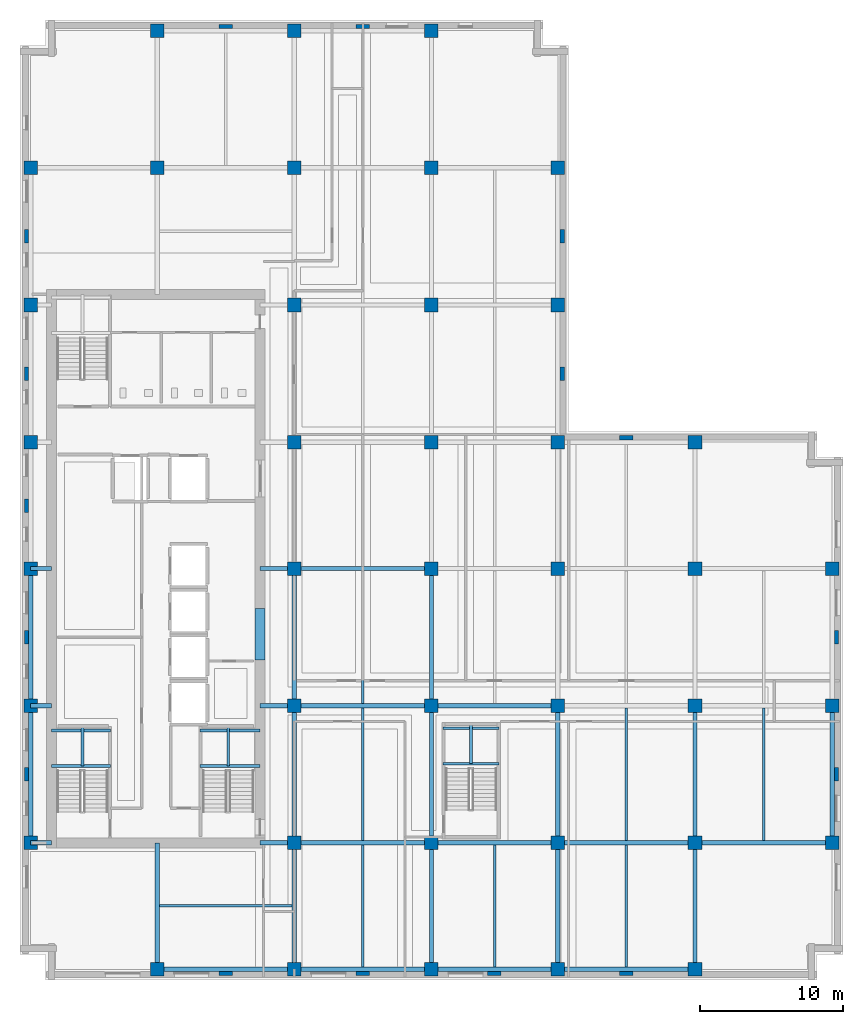
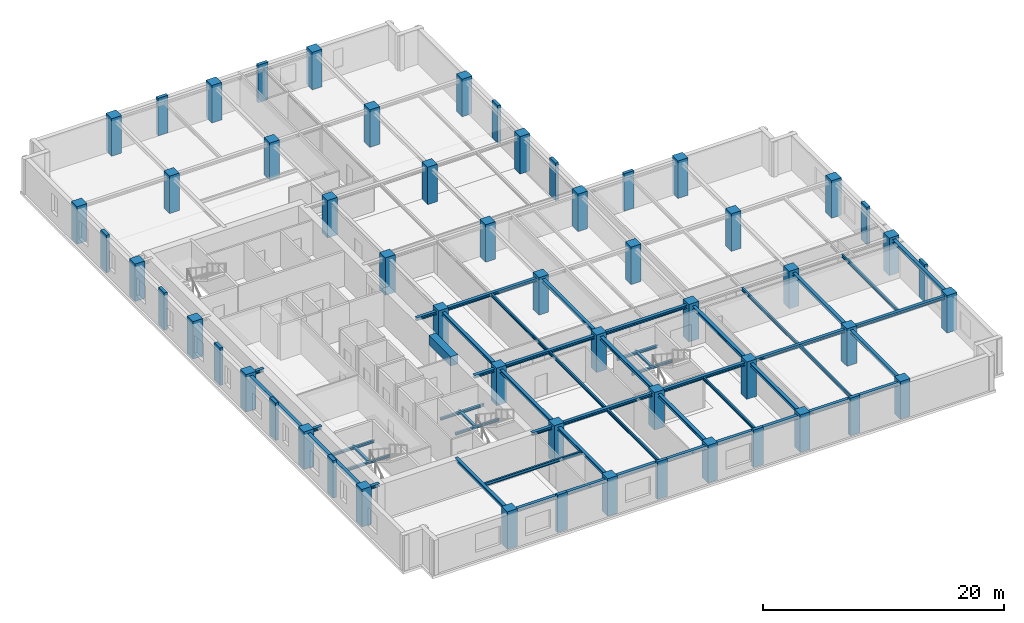
# One storey, part 1 of 13: 56 columns, 49 beams.
"""IFC4 building model written with IfcOpenShell, lengths in metres."""

from ifc_helpers import new_model, si_unit, direction, frame, origin, origin_2d, place, context, subcontext, project, spatial, rectangle, i_section, extrude, material, material_profile, profile_set, type_object, element, save


model = new_model("IFC4")

# Units and contexts
model_context = context("Model", 3, precision=1e-05, world=origin(), true_north=direction((0.0, 1.0)))
body_context = subcontext(model_context, "Body", "Model", "MODEL_VIEW")
ifc_project = project(units=[si_unit("LENGTHUNIT", "METRE"), si_unit("AREAUNIT", "SQUARE_METRE"), si_unit("VOLUMEUNIT", "CUBIC_METRE"), si_unit("PLANEANGLEUNIT", "RADIAN"), si_unit("MASSUNIT", "GRAM", prefix="KILO")], contexts=[model_context])

# Site, building, storey
site_placement = place(None, origin())
site = spatial("IfcSite", under=ifc_project, at=site_placement, CompositionType="ELEMENT")
building_placement = place(site_placement, origin())
building = spatial("IfcBuilding", under=site, at=building_placement, Name="Norrvale University Quadrangle", CompositionType="ELEMENT")
storey_placement = place(building_placement, frame((0.0, 0.0, 178.800048828125)))
storey = spatial("IfcBuildingStorey", under=building, at=storey_placement, Name="L45", CompositionType="ELEMENT", Elevation=178.800048828125)

# Columns
ifc_material_1 = material(Name="Red Manganese Brick Concrete C60/75", Category="concrete")
ifc_material_profile_1 = material_profile(ifc_material_1, rectangle(XDim=0.949951171875, YDim=0.300048828125, at=origin_2d()), Name="Red Manganese Brick Concrete C60/75")
ifc_profile_set_1 = profile_set([ifc_material_profile_1], Name="Red Manganese Brick Concrete C60/75")
column_type_1 = type_object("IfcColumnType", Name="Column Brick Pier 950x300", PredefinedType="PILASTER", material=ifc_profile_set_1)
for number, where, z_axis, x_axis, name in (
    (1, (0.449951171875, 14.39990234375, 0.0), (0.0, 0.0, 1.0), (0.0, 1.0, 0.0), "Exterior Brick Facade Pilaster L45-01"),
    (2, (0.449951171875, 24.0, 0.0), (0.0, 0.0, 1.0), (0.0, 1.0, 0.0), "Exterior Brick Facade Pilaster L45-02"),
    (3, (0.449951171875, 33.199951171875, 0.0), (0.0, 0.0, 1.0), (0.0, 1.0, 0.0), "Exterior Brick Facade Pilaster L45-03"),
    (4, (0.449951171875, 42.449951171875, 0.0), (0.0, 0.0, 1.0), (0.0, 1.0, 0.0), "Exterior Brick Facade Pilaster L45-04"),
    (5, (0.449951171875, 52.050048828125, 0.0), (0.0, 0.0, 1.0), (0.0, 1.0, 0.0), "Exterior Brick Facade Pilaster L45-05"),
    (6, (14.39990234375, 0.449951171875, 0.0), (0.0, 0.0, 1.0), (1.0, 0.0, 0.0), "Exterior Brick Facade Pilaster L45-06"),
    (7, (24.0, 0.449951171875, 0.0), (0.0, 0.0, 1.0), (1.0, 0.0, 0.0), "Exterior Brick Facade Pilaster L45-07"),
    (8, (33.199951171875, 0.449951171875, 0.0), (0.0, 0.0, 1.0), (1.0, 0.0, 0.0), "Exterior Brick Facade Pilaster L45-08"),
    (9, (42.449951171875, 0.449951171875, 0.0), (0.0, 0.0, 1.0), (1.0, 0.0, 0.0), "Exterior Brick Facade Pilaster L45-09"),
    (10, (57.14990234375, 14.39990234375, 0.0), (0.0, 0.0, 1.0), (0.0, 1.0, 0.0), "Exterior Brick Facade Pilaster L45-10"),
    (11, (57.14990234375, 24.0, 0.0), (0.0, 0.0, 1.0), (0.0, 1.0, 0.0), "Exterior Brick Facade Pilaster L45-11"),
    (12, (14.39990234375, 66.75, 0.0), (0.0, 0.0, 1.0), (1.0, 0.0, 0.0), "Exterior Brick Facade Pilaster L45-12"),
    (13, (24.0, 66.75, 0.0), (0.0, 0.0, 1.0), (1.0, 0.0, 0.0), "Exterior Brick Facade Pilaster L45-13"),
    (14, (37.949951171875, 42.449951171875, 0.0), (0.0, 0.0, 1.0), (0.0, 1.0, 0.0), "Exterior Brick Facade Pilaster L45-14"),
    (15, (37.949951171875, 52.050048828125, 0.0), (0.0, 0.0, 1.0), (0.0, 1.0, 0.0), "Exterior Brick Facade Pilaster L45-15"),
    (16, (42.449951171875, 37.949951171875, 0.0), (0.0, 0.0, 1.0), (1.0, 0.0, 0.0), "Exterior Brick Facade Pilaster L45-16"),
):
    element("IfcColumn", number, at=place(storey_placement, frame(where, z_axis=z_axis, x_axis=x_axis)), inside=storey, type_object=column_type_1, Name=name, PredefinedType="PILASTER", context=body_context, shape_type="SweptSolid", body=[
        extrude(rectangle(XDim=0.949951171875, YDim=0.300048828125, at=origin_2d()), origin(), (0.0, 0.0, 1.0), 3.800048828125),
    ])
ifc_material_2 = material(Name="Concrete C60/75", Category="concrete")
ifc_material_profile_2 = material_profile(ifc_material_2, rectangle(XDim=0.949951171875, YDim=0.949951171875, at=origin_2d()), Name="Concrete C60/75")
ifc_profile_set_2 = profile_set([ifc_material_profile_2], Name="Concrete C60/75")
column_type_2 = type_object("IfcColumnType", Name="Column Tower Z2 950x950", PredefinedType="COLUMN", material=ifc_profile_set_2)
for number, where, z_axis, x_axis, name in (
    (17, (0.75, 9.60009765625, 0.0), (0.0, 0.0, 1.0), (1.0, 0.0, 0.0), "Tower Column L45-T01"),
    (18, (0.75, 19.199951171875, 0.0), (0.0, 0.0, 1.0), (1.0, 0.0, 0.0), "Tower Column L45-T02"),
    (19, (0.75, 28.800048828125, 0.0), (0.0, 0.0, 1.0), (1.0, 0.0, 0.0), "Tower Column L45-T03"),
    (20, (0.75, 37.64990234375, 0.0), (0.0, 0.0, 1.0), (1.0, 0.0, 0.0), "Tower Column L45-T04"),
    (21, (0.75, 47.25, 0.0), (0.0, 0.0, 1.0), (1.0, 0.0, 0.0), "Tower Column L45-T05"),
    (22, (0.75, 56.85009765625, 0.0), (0.0, 0.0, 1.0), (1.0, 0.0, 0.0), "Tower Column L45-T06"),
    (23, (9.60009765625, 0.75, 0.0), (0.0, 0.0, 1.0), (1.0, 0.0, 0.0), "Tower Column L45-T07"),
    (24, (9.60009765625, 56.85009765625, 0.0), (0.0, 0.0, 1.0), (1.0, 0.0, 0.0), "Tower Column L45-T08"),
    (25, (9.60009765625, 66.449951171875, 0.0), (0.0, 0.0, 1.0), (1.0, 0.0, 0.0), "Tower Column L45-T09"),
    (26, (19.199951171875, 0.75, 0.0), (0.0, 0.0, 1.0), (1.0, 0.0, 0.0), "Tower Column L45-T10"),
    (27, (19.199951171875, 9.60009765625, 0.0), (0.0, 0.0, 1.0), (1.0, 0.0, 0.0), "Tower Column L45-T11"),
    (28, (19.199951171875, 19.199951171875, 0.0), (0.0, 0.0, 1.0), (1.0, 0.0, 0.0), "Tower Column L45-T12"),
    (29, (19.199951171875, 28.800048828125, 0.0), (0.0, 0.0, 1.0), (1.0, 0.0, 0.0), "Tower Column L45-T13"),
    (30, (19.199951171875, 37.64990234375, 0.0), (0.0, 0.0, 1.0), (1.0, 0.0, 0.0), "Tower Column L45-T14"),
    (31, (19.199951171875, 47.25, 0.0), (0.0, 0.0, 1.0), (1.0, 0.0, 0.0), "Tower Column L45-T15"),
    (32, (19.199951171875, 56.85009765625, 0.0), (0.0, 0.0, 1.0), (1.0, 0.0, 0.0), "Tower Column L45-T16"),
    (33, (19.199951171875, 66.449951171875, 0.0), (0.0, 0.0, 1.0), (1.0, 0.0, 0.0), "Tower Column L45-T17"),
    (34, (28.800048828125, 0.75, 0.0), (0.0, 0.0, 1.0), (1.0, 0.0, 0.0), "Tower Column L45-T18"),
    (35, (28.800048828125, 9.60009765625, 0.0), (0.0, 0.0, 1.0), (1.0, 0.0, 0.0), "Tower Column L45-T19"),
    (36, (28.800048828125, 19.199951171875, 0.0), (0.0, 0.0, 1.0), (1.0, 0.0, 0.0), "Tower Column L45-T20"),
    (37, (28.800048828125, 28.800048828125, 0.0), (0.0, 0.0, 1.0), (1.0, 0.0, 0.0), "Tower Column L45-T21"),
    (38, (28.800048828125, 37.64990234375, 0.0), (0.0, 0.0, 1.0), (1.0, 0.0, 0.0), "Tower Column L45-T22"),
    (39, (28.800048828125, 47.25, 0.0), (0.0, 0.0, 1.0), (1.0, 0.0, 0.0), "Tower Column L45-T23"),
    (40, (28.800048828125, 56.85009765625, 0.0), (0.0, 0.0, 1.0), (1.0, 0.0, 0.0), "Tower Column L45-T24"),
    (41, (28.800048828125, 66.449951171875, 0.0), (0.0, 0.0, 1.0), (1.0, 0.0, 0.0), "Tower Column L45-T25"),
    (42, (37.64990234375, 0.75, 0.0), (0.0, 0.0, 1.0), (1.0, 0.0, 0.0), "Tower Column L45-T26"),
    (43, (37.64990234375, 9.60009765625, 0.0), (0.0, 0.0, 1.0), (1.0, 0.0, 0.0), "Tower Column L45-T27"),
    (44, (37.64990234375, 19.199951171875, 0.0), (0.0, 0.0, 1.0), (1.0, 0.0, 0.0), "Tower Column L45-T28"),
    (45, (37.64990234375, 28.800048828125, 0.0), (0.0, 0.0, 1.0), (1.0, 0.0, 0.0), "Tower Column L45-T29"),
    (46, (37.64990234375, 37.64990234375, 0.0), (0.0, 0.0, 1.0), (1.0, 0.0, 0.0), "Tower Column L45-T30"),
    (47, (37.64990234375, 47.25, 0.0), (0.0, 0.0, 1.0), (1.0, 0.0, 0.0), "Tower Column L45-T31"),
    (48, (37.64990234375, 56.85009765625, 0.0), (0.0, 0.0, 1.0), (1.0, 0.0, 0.0), "Tower Column L45-T32"),
    (49, (47.25, 0.75, 0.0), (0.0, 0.0, 1.0), (1.0, 0.0, 0.0), "Tower Column L45-T33"),
    (50, (47.25, 9.60009765625, 0.0), (0.0, 0.0, 1.0), (1.0, 0.0, 0.0), "Tower Column L45-T34"),
    (51, (47.25, 19.199951171875, 0.0), (0.0, 0.0, 1.0), (1.0, 0.0, 0.0), "Tower Column L45-T35"),
    (52, (47.25, 28.800048828125, 0.0), (0.0, 0.0, 1.0), (1.0, 0.0, 0.0), "Tower Column L45-T36"),
    (53, (47.25, 37.64990234375, 0.0), (0.0, 0.0, 1.0), (1.0, 0.0, 0.0), "Tower Column L45-T37"),
    (54, (56.85009765625, 9.60009765625, 0.0), (0.0, 0.0, 1.0), (1.0, 0.0, 0.0), "Tower Column L45-T38"),
    (55, (56.85009765625, 19.199951171875, 0.0), (0.0, 0.0, 1.0), (1.0, 0.0, 0.0), "Tower Column L45-T39"),
    (56, (56.85009765625, 28.800048828125, 0.0), (0.0, 0.0, 1.0), (1.0, 0.0, 0.0), "Tower Column L45-T40"),
):
    element("IfcColumn", number, at=place(storey_placement, frame(where, z_axis=z_axis, x_axis=x_axis)), inside=storey, type_object=column_type_2, Name=name, PredefinedType="COLUMN", context=body_context, shape_type="SweptSolid", body=[
        extrude(rectangle(XDim=0.949951171875, YDim=0.949951171875, at=origin_2d()), origin(), (0.0, 0.0, 1.0), 3.800048828125),
    ])

# Beams
ifc_material_3 = material(Name="Steel 350W", Category="steel")
ifc_material_profile_3 = material_profile(ifc_material_3, i_section(OverallWidth=0.1669921875, OverallDepth=0.31689453125, WebThickness=0.007568359375, FlangeThickness=0.01318359375, FilletRadius=0.010009765625, at=origin_2d()), Name="Steel 350W")
ifc_profile_set_3 = profile_set([ifc_material_profile_3], Name="Steel 350W")
beam_type_1 = type_object("IfcBeamType", Name="Beam Canopy Purlin W310x52", PredefinedType="USERDEFINED", material=ifc_profile_set_3)
beam_1_placement = place(storey_placement, frame((24.0, 0.902587890625, 3.38134765625), z_axis=(0.0, 1.0, 0.0), x_axis=(-1.0, 0.0, 0.0)))
element("IfcBeam", 57, at=beam_1_placement, inside=storey, type_object=beam_type_1, Name="Beam Canopy Purlin W310x52 BM-L45-J071", ObjectType="PURLIN", PredefinedType="USERDEFINED", context=body_context, shape_type="SweptSolid", body=[
    extrude(i_section(OverallWidth=0.1669921875, OverallDepth=0.31689453125, WebThickness=0.007568359375, FlangeThickness=0.01318359375, FilletRadius=0.010009765625, at=origin_2d()), origin(), (0.0, 0.0, 1.0), 8.544921875),
])
beam_2_placement = place(storey_placement, frame((24.0, 9.75244140625, 3.38134765625), z_axis=(0.0, 1.0, 0.0), x_axis=(-1.0, 0.0, 0.0)))
element("IfcBeam", 58, at=beam_2_placement, inside=storey, type_object=beam_type_1, Name="Beam Canopy Purlin W310x52 BM-L45-J072", ObjectType="PURLIN", PredefinedType="USERDEFINED", context=body_context, shape_type="SweptSolid", body=[
    extrude(i_section(OverallWidth=0.1669921875, OverallDepth=0.31689453125, WebThickness=0.007568359375, FlangeThickness=0.01318359375, FilletRadius=0.010009765625, at=origin_2d()), origin(), (0.0, 0.0, 1.0), 9.295166015625),
])
beam_3_placement = place(storey_placement, frame((24.0, 19.3525390625, 3.38134765625), z_axis=(0.0, 1.0, 0.0), x_axis=(-1.0, 0.0, 0.0)))
element("IfcBeam", 59, at=beam_3_placement, inside=storey, type_object=beam_type_1, Name="Beam Canopy Purlin W310x52 BM-L45-J073", ObjectType="PURLIN", PredefinedType="USERDEFINED", context=body_context, shape_type="SweptSolid", body=[
    extrude(i_section(OverallWidth=0.1669921875, OverallDepth=0.31689453125, WebThickness=0.007568359375, FlangeThickness=0.01318359375, FilletRadius=0.010009765625, at=origin_2d()), origin(), (0.0, 0.0, 1.0), 9.294921875),
])
for number, where, z_axis, x_axis, name in (
    (60, (33.22509765625, 0.902587890625, 3.38134765625), (0.0, 1.0, 0.0), (-1.0, 0.0, 0.0), "Beam Canopy Purlin W310x52 BM-L45-J078"),
    (61, (42.449951171875, 0.902587890625, 3.38134765625), (0.0, 1.0, 0.0), (-1.0, 0.0, 0.0), "Beam Canopy Purlin W310x52 BM-L45-J083"),
):
    element("IfcBeam", number, at=place(storey_placement, frame(where, z_axis=z_axis, x_axis=x_axis)), inside=storey, type_object=beam_type_1, Name=name, ObjectType="PURLIN", PredefinedType="USERDEFINED", context=body_context, shape_type="SweptSolid", body=[
        extrude(i_section(OverallWidth=0.1669921875, OverallDepth=0.31689453125, WebThickness=0.007568359375, FlangeThickness=0.01318359375, FilletRadius=0.010009765625, at=origin_2d()), origin(), (0.0, 0.0, 1.0), 8.544921875),
    ])
for number, where, z_axis, x_axis, name in (
    (62, (42.449951171875, 9.75244140625, 3.38134765625), (0.0, 1.0, 0.0), (-1.0, 0.0, 0.0), "Beam Canopy Purlin W310x52 BM-L45-J084"),
    (63, (52.050048828125, 9.75244140625, 3.38134765625), (0.0, 1.0, 0.0), (-1.0, 0.0, 0.0), "Beam Canopy Purlin W310x52 BM-L45-J087"),
    (64, (9.75244140625, 5.199951171875, 3.38134765625), (1.0, 0.0, 0.0), (0.0, 1.0, 0.0), "Beam Canopy Purlin W310x52 BM-L45-JCS090"),
):
    element("IfcBeam", number, at=place(storey_placement, frame(where, z_axis=z_axis, x_axis=x_axis)), inside=storey, type_object=beam_type_1, Name=name, ObjectType="PURLIN", PredefinedType="USERDEFINED", context=body_context, shape_type="SweptSolid", body=[
        extrude(i_section(OverallWidth=0.1669921875, OverallDepth=0.31689453125, WebThickness=0.007568359375, FlangeThickness=0.01318359375, FilletRadius=0.010009765625, at=origin_2d()), origin(), (0.0, 0.0, 1.0), 9.295166015625),
    ])
ifc_material_profile_4 = material_profile(ifc_material_3, i_section(OverallWidth=0.304931640625, OverallDepth=0.30810546875, WebThickness=0.010009765625, FlangeThickness=0.015380859375, FilletRadius=0.014892578125, at=origin_2d()), Name="Steel 350W")
ifc_profile_set_4 = profile_set([ifc_material_profile_4], Name="Steel 350W")
beam_type_2 = type_object("IfcBeamType", Name="Beam Canopy W310x97", PredefinedType="BEAM", material=ifc_profile_set_4)
beam_4_placement = place(storey_placement, frame((9.60009765625, 0.75, 3.385986328125), z_axis=(1.0, 0.0, 0.0), x_axis=(0.0, 1.0, 0.0)))
element("IfcBeam", 65, at=beam_4_placement, inside=storey, type_object=beam_type_2, Name="Beam Canopy W310x97 BM-L45-GX001", PredefinedType="BEAM", context=body_context, shape_type="SweptSolid", body=[
    extrude(i_section(OverallWidth=0.304931640625, OverallDepth=0.30810546875, WebThickness=0.010009765625, FlangeThickness=0.015380859375, FilletRadius=0.014892578125, at=origin_2d()), origin(), (0.0, 0.0, 1.0), 9.599853515625),
])
beam_5_placement = place(storey_placement, frame((19.199951171875, 0.75, 3.385986328125), z_axis=(1.0, 0.0, 0.0), x_axis=(0.0, 1.0, 0.0)))
element("IfcBeam", 66, at=beam_5_placement, inside=storey, type_object=beam_type_2, Name="Beam Canopy W310x97 BM-L45-GX002", PredefinedType="BEAM", context=body_context, shape_type="SweptSolid", body=[
    extrude(i_section(OverallWidth=0.304931640625, OverallDepth=0.30810546875, WebThickness=0.010009765625, FlangeThickness=0.015380859375, FilletRadius=0.014892578125, at=origin_2d()), origin(), (0.0, 0.0, 1.0), 9.60009765625),
])
beam_6_placement = place(storey_placement, frame((28.800048828125, 0.75, 3.385986328125), z_axis=(1.0, 0.0, 0.0), x_axis=(0.0, 1.0, 0.0)))
element("IfcBeam", 67, at=beam_6_placement, inside=storey, type_object=beam_type_2, Name="Beam Canopy W310x97 BM-L45-GX003", PredefinedType="BEAM", context=body_context, shape_type="SweptSolid", body=[
    extrude(i_section(OverallWidth=0.304931640625, OverallDepth=0.30810546875, WebThickness=0.010009765625, FlangeThickness=0.015380859375, FilletRadius=0.014892578125, at=origin_2d()), origin(), (0.0, 0.0, 1.0), 8.849853515625),
])
for number, where, z_axis, x_axis, name in (
    (68, (37.64990234375, 0.75, 3.385986328125), (1.0, 0.0, 0.0), (0.0, 1.0, 0.0), "Beam Canopy W310x97 BM-L45-GX004"),
    (69, (19.199951171875, 9.60009765625, 3.385986328125), (1.0, 0.0, 0.0), (0.0, 1.0, 0.0), "Beam Canopy W310x97 BM-L45-GX005"),
):
    element("IfcBeam", number, at=place(storey_placement, frame(where, z_axis=z_axis, x_axis=x_axis)), inside=storey, type_object=beam_type_2, Name=name, PredefinedType="BEAM", context=body_context, shape_type="SweptSolid", body=[
        extrude(i_section(OverallWidth=0.304931640625, OverallDepth=0.30810546875, WebThickness=0.010009765625, FlangeThickness=0.015380859375, FilletRadius=0.014892578125, at=origin_2d()), origin(), (0.0, 0.0, 1.0), 9.60009765625),
    ])
beam_7_placement = place(storey_placement, frame((28.800048828125, 9.60009765625, 3.385986328125), z_axis=(1.0, 0.0, 0.0), x_axis=(0.0, 1.0, 0.0)))
element("IfcBeam", 70, at=beam_7_placement, inside=storey, type_object=beam_type_2, Name="Beam Canopy W310x97 BM-L45-GX006", PredefinedType="BEAM", context=body_context, shape_type="SweptSolid", body=[
    extrude(i_section(OverallWidth=0.304931640625, OverallDepth=0.30810546875, WebThickness=0.010009765625, FlangeThickness=0.015380859375, FilletRadius=0.014892578125, at=origin_2d()), origin(), (0.0, 0.0, 1.0), 8.849853515625),
])
for number, where, z_axis, x_axis, name in (
    (71, (37.64990234375, 9.60009765625, 3.385986328125), (1.0, 0.0, 0.0), (0.0, 1.0, 0.0), "Beam Canopy W310x97 BM-L45-GX007"),
    (72, (47.25, 9.60009765625, 3.385986328125), (1.0, 0.0, 0.0), (0.0, 1.0, 0.0), "Beam Canopy W310x97 BM-L45-GX008"),
    (73, (19.199951171875, 19.199951171875, 3.385986328125), (1.0, 0.0, 0.0), (0.0, 1.0, 0.0), "Beam Canopy W310x97 BM-L45-GX009"),
):
    element("IfcBeam", number, at=place(storey_placement, frame(where, z_axis=z_axis, x_axis=x_axis)), inside=storey, type_object=beam_type_2, Name=name, PredefinedType="BEAM", context=body_context, shape_type="SweptSolid", body=[
        extrude(i_section(OverallWidth=0.304931640625, OverallDepth=0.30810546875, WebThickness=0.010009765625, FlangeThickness=0.015380859375, FilletRadius=0.014892578125, at=origin_2d()), origin(), (0.0, 0.0, 1.0), 9.60009765625),
    ])
beam_8_placement = place(storey_placement, frame((28.800048828125, 19.199951171875, 3.385986328125), z_axis=(1.0, 0.0, 0.0), x_axis=(0.0, 1.0, 0.0)))
element("IfcBeam", 74, at=beam_8_placement, inside=storey, type_object=beam_type_2, Name="Beam Canopy W310x97 BM-L45-GX010", PredefinedType="BEAM", context=body_context, shape_type="SweptSolid", body=[
    extrude(i_section(OverallWidth=0.304931640625, OverallDepth=0.30810546875, WebThickness=0.010009765625, FlangeThickness=0.015380859375, FilletRadius=0.014892578125, at=origin_2d()), origin(), (0.0, 0.0, 1.0), 8.849853515625),
])
beam_9_placement = place(storey_placement, frame((19.199951171875, 28.800048828125, 3.385986328125), z_axis=(1.0, 0.0, 0.0), x_axis=(0.0, 1.0, 0.0)))
element("IfcBeam", 75, at=beam_9_placement, inside=storey, type_object=beam_type_2, Name="Beam Canopy W310x97 BM-L45-GX013", PredefinedType="BEAM", context=body_context, shape_type="SweptSolid", body=[
    extrude(i_section(OverallWidth=0.304931640625, OverallDepth=0.30810546875, WebThickness=0.010009765625, FlangeThickness=0.015380859375, FilletRadius=0.014892578125, at=origin_2d()), origin(), (0.0, 0.0, 1.0), 9.60009765625),
])
beam_10_placement = place(storey_placement, frame((0.75, 9.60009765625, 3.385986328125), z_axis=(0.0, 1.0, 0.0), x_axis=(-1.0, 0.0, 0.0)))
element("IfcBeam", 76, at=beam_10_placement, inside=storey, type_object=beam_type_2, Name="Beam Canopy W310x97 BM-L45-GY028", PredefinedType="BEAM", context=body_context, shape_type="SweptSolid", body=[
    extrude(i_section(OverallWidth=0.304931640625, OverallDepth=0.30810546875, WebThickness=0.010009765625, FlangeThickness=0.015380859375, FilletRadius=0.014892578125, at=origin_2d()), origin(), (0.0, 0.0, 1.0), 9.599853515625),
])
beam_11_placement = place(storey_placement, frame((0.75, 19.199951171875, 3.385986328125), z_axis=(0.0, 1.0, 0.0), x_axis=(-1.0, 0.0, 0.0)))
element("IfcBeam", 77, at=beam_11_placement, inside=storey, type_object=beam_type_2, Name="Beam Canopy W310x97 BM-L45-GY029", PredefinedType="BEAM", context=body_context, shape_type="SweptSolid", body=[
    extrude(i_section(OverallWidth=0.304931640625, OverallDepth=0.30810546875, WebThickness=0.010009765625, FlangeThickness=0.015380859375, FilletRadius=0.014892578125, at=origin_2d()), origin(), (0.0, 0.0, 1.0), 9.60009765625),
])
beam_12_placement = place(storey_placement, frame((19.199951171875, 0.75, 3.385986328125), z_axis=(0.0, 1.0, 0.0), x_axis=(-1.0, 0.0, 0.0)))
element("IfcBeam", 78, at=beam_12_placement, inside=storey, type_object=beam_type_2, Name="Beam Canopy W310x97 BM-L45-GY034", PredefinedType="BEAM", context=body_context, shape_type="SweptSolid", body=[
    extrude(i_section(OverallWidth=0.304931640625, OverallDepth=0.30810546875, WebThickness=0.010009765625, FlangeThickness=0.015380859375, FilletRadius=0.014892578125, at=origin_2d()), origin(), (0.0, 0.0, 1.0), 8.85009765625),
])
beam_13_placement = place(storey_placement, frame((19.199951171875, 9.60009765625, 3.385986328125), z_axis=(0.0, 1.0, 0.0), x_axis=(-1.0, 0.0, 0.0)))
element("IfcBeam", 79, at=beam_13_placement, inside=storey, type_object=beam_type_2, Name="Beam Canopy W310x97 BM-L45-GY035", PredefinedType="BEAM", context=body_context, shape_type="SweptSolid", body=[
    extrude(i_section(OverallWidth=0.304931640625, OverallDepth=0.30810546875, WebThickness=0.010009765625, FlangeThickness=0.015380859375, FilletRadius=0.014892578125, at=origin_2d()), origin(), (0.0, 0.0, 1.0), 9.599853515625),
])
beam_14_placement = place(storey_placement, frame((19.199951171875, 19.199951171875, 3.385986328125), z_axis=(0.0, 1.0, 0.0), x_axis=(-1.0, 0.0, 0.0)))
element("IfcBeam", 80, at=beam_14_placement, inside=storey, type_object=beam_type_2, Name="Beam Canopy W310x97 BM-L45-GY036", PredefinedType="BEAM", context=body_context, shape_type="SweptSolid", body=[
    extrude(i_section(OverallWidth=0.304931640625, OverallDepth=0.30810546875, WebThickness=0.010009765625, FlangeThickness=0.015380859375, FilletRadius=0.014892578125, at=origin_2d()), origin(), (0.0, 0.0, 1.0), 9.60009765625),
])
beam_15_placement = place(storey_placement, frame((28.800048828125, 0.75, 3.385986328125), z_axis=(0.0, 1.0, 0.0), x_axis=(-1.0, 0.0, 0.0)))
element("IfcBeam", 81, at=beam_15_placement, inside=storey, type_object=beam_type_2, Name="Beam Canopy W310x97 BM-L45-GY041", PredefinedType="BEAM", context=body_context, shape_type="SweptSolid", body=[
    extrude(i_section(OverallWidth=0.304931640625, OverallDepth=0.30810546875, WebThickness=0.010009765625, FlangeThickness=0.015380859375, FilletRadius=0.014892578125, at=origin_2d()), origin(), (0.0, 0.0, 1.0), 8.85009765625),
])
beam_16_placement = place(storey_placement, frame((28.800048828125, 9.60009765625, 3.385986328125), z_axis=(0.0, 1.0, 0.0), x_axis=(-1.0, 0.0, 0.0)))
element("IfcBeam", 82, at=beam_16_placement, inside=storey, type_object=beam_type_2, Name="Beam Canopy W310x97 BM-L45-GY042", PredefinedType="BEAM", context=body_context, shape_type="SweptSolid", body=[
    extrude(i_section(OverallWidth=0.304931640625, OverallDepth=0.30810546875, WebThickness=0.010009765625, FlangeThickness=0.015380859375, FilletRadius=0.014892578125, at=origin_2d()), origin(), (0.0, 0.0, 1.0), 9.599853515625),
])
beam_17_placement = place(storey_placement, frame((28.800048828125, 19.199951171875, 3.385986328125), z_axis=(0.0, 1.0, 0.0), x_axis=(-1.0, 0.0, 0.0)))
element("IfcBeam", 83, at=beam_17_placement, inside=storey, type_object=beam_type_2, Name="Beam Canopy W310x97 BM-L45-GY043", PredefinedType="BEAM", context=body_context, shape_type="SweptSolid", body=[
    extrude(i_section(OverallWidth=0.304931640625, OverallDepth=0.30810546875, WebThickness=0.010009765625, FlangeThickness=0.015380859375, FilletRadius=0.014892578125, at=origin_2d()), origin(), (0.0, 0.0, 1.0), 9.60009765625),
])
beam_18_placement = place(storey_placement, frame((37.64990234375, 0.75, 3.385986328125), z_axis=(0.0, 1.0, 0.0), x_axis=(-1.0, 0.0, 0.0)))
element("IfcBeam", 84, at=beam_18_placement, inside=storey, type_object=beam_type_2, Name="Beam Canopy W310x97 BM-L45-GY048", PredefinedType="BEAM", context=body_context, shape_type="SweptSolid", body=[
    extrude(i_section(OverallWidth=0.304931640625, OverallDepth=0.30810546875, WebThickness=0.010009765625, FlangeThickness=0.015380859375, FilletRadius=0.014892578125, at=origin_2d()), origin(), (0.0, 0.0, 1.0), 8.85009765625),
])
beam_19_placement = place(storey_placement, frame((37.64990234375, 9.60009765625, 3.385986328125), z_axis=(0.0, 1.0, 0.0), x_axis=(-1.0, 0.0, 0.0)))
element("IfcBeam", 85, at=beam_19_placement, inside=storey, type_object=beam_type_2, Name="Beam Canopy W310x97 BM-L45-GY049", PredefinedType="BEAM", context=body_context, shape_type="SweptSolid", body=[
    extrude(i_section(OverallWidth=0.304931640625, OverallDepth=0.30810546875, WebThickness=0.010009765625, FlangeThickness=0.015380859375, FilletRadius=0.014892578125, at=origin_2d()), origin(), (0.0, 0.0, 1.0), 9.599853515625),
])
beam_20_placement = place(storey_placement, frame((47.25, 0.75, 3.385986328125), z_axis=(0.0, 1.0, 0.0), x_axis=(-1.0, 0.0, 0.0)))
element("IfcBeam", 86, at=beam_20_placement, inside=storey, type_object=beam_type_2, Name="Beam Canopy W310x97 BM-L45-GY054", PredefinedType="BEAM", context=body_context, shape_type="SweptSolid", body=[
    extrude(i_section(OverallWidth=0.304931640625, OverallDepth=0.30810546875, WebThickness=0.010009765625, FlangeThickness=0.015380859375, FilletRadius=0.014892578125, at=origin_2d()), origin(), (0.0, 0.0, 1.0), 8.85009765625),
])
for number, where, z_axis, x_axis, name in (
    (87, (47.25, 9.60009765625, 3.385986328125), (0.0, 1.0, 0.0), (-1.0, 0.0, 0.0), "Beam Canopy W310x97 BM-L45-GY055"),
    (88, (56.85009765625, 9.60009765625, 3.385986328125), (0.0, 1.0, 0.0), (-1.0, 0.0, 0.0), "Beam Canopy W310x97 BM-L45-GY058"),
):
    element("IfcBeam", number, at=place(storey_placement, frame(where, z_axis=z_axis, x_axis=x_axis)), inside=storey, type_object=beam_type_2, Name=name, PredefinedType="BEAM", context=body_context, shape_type="SweptSolid", body=[
        extrude(i_section(OverallWidth=0.304931640625, OverallDepth=0.30810546875, WebThickness=0.010009765625, FlangeThickness=0.015380859375, FilletRadius=0.014892578125, at=origin_2d()), origin(), (0.0, 0.0, 1.0), 9.599853515625),
    ])
beam_21_placement = place(storey_placement, frame((0.75, 9.60009765625, 3.385986328125), z_axis=(1.0, 0.0, 0.0), x_axis=(0.0, 1.0, 0.0)))
element("IfcBeam", 89, at=beam_21_placement, inside=storey, type_object=beam_type_2, Name="Beam Canopy W310x97 BM-L45-GCW060", PredefinedType="BEAM", context=body_context, shape_type="SweptSolid", body=[
    extrude(i_section(OverallWidth=0.304931640625, OverallDepth=0.30810546875, WebThickness=0.010009765625, FlangeThickness=0.015380859375, FilletRadius=0.014892578125, at=origin_2d()), origin(), (0.0, 0.0, 1.0), 1.449951171875),
])
beam_22_placement = place(storey_placement, frame((16.800048828125, 9.60009765625, 3.385986328125), z_axis=(1.0, 0.0, 0.0), x_axis=(0.0, 1.0, 0.0)))
element("IfcBeam", 90, at=beam_22_placement, inside=storey, type_object=beam_type_2, Name="Beam Canopy W310x97 BM-L45-GCE061", PredefinedType="BEAM", context=body_context, shape_type="SweptSolid", body=[
    extrude(i_section(OverallWidth=0.304931640625, OverallDepth=0.30810546875, WebThickness=0.010009765625, FlangeThickness=0.015380859375, FilletRadius=0.014892578125, at=origin_2d()), origin(), (0.0, 0.0, 1.0), 2.39990234375),
])
beam_23_placement = place(storey_placement, frame((0.75, 19.199951171875, 3.385986328125), z_axis=(1.0, 0.0, 0.0), x_axis=(0.0, 1.0, 0.0)))
element("IfcBeam", 91, at=beam_23_placement, inside=storey, type_object=beam_type_2, Name="Beam Canopy W310x97 BM-L45-GCW062", PredefinedType="BEAM", context=body_context, shape_type="SweptSolid", body=[
    extrude(i_section(OverallWidth=0.304931640625, OverallDepth=0.30810546875, WebThickness=0.010009765625, FlangeThickness=0.015380859375, FilletRadius=0.014892578125, at=origin_2d()), origin(), (0.0, 0.0, 1.0), 1.449951171875),
])
beam_24_placement = place(storey_placement, frame((16.800048828125, 19.199951171875, 3.385986328125), z_axis=(1.0, 0.0, 0.0), x_axis=(0.0, 1.0, 0.0)))
element("IfcBeam", 92, at=beam_24_placement, inside=storey, type_object=beam_type_2, Name="Beam Canopy W310x97 BM-L45-GCE063", PredefinedType="BEAM", context=body_context, shape_type="SweptSolid", body=[
    extrude(i_section(OverallWidth=0.304931640625, OverallDepth=0.30810546875, WebThickness=0.010009765625, FlangeThickness=0.015380859375, FilletRadius=0.014892578125, at=origin_2d()), origin(), (0.0, 0.0, 1.0), 2.39990234375),
])
beam_25_placement = place(storey_placement, frame((0.75, 28.800048828125, 3.385986328125), z_axis=(1.0, 0.0, 0.0), x_axis=(0.0, 1.0, 0.0)))
element("IfcBeam", 93, at=beam_25_placement, inside=storey, type_object=beam_type_2, Name="Beam Canopy W310x97 BM-L45-GCW064", PredefinedType="BEAM", context=body_context, shape_type="SweptSolid", body=[
    extrude(i_section(OverallWidth=0.304931640625, OverallDepth=0.30810546875, WebThickness=0.010009765625, FlangeThickness=0.015380859375, FilletRadius=0.014892578125, at=origin_2d()), origin(), (0.0, 0.0, 1.0), 1.449951171875),
])
beam_26_placement = place(storey_placement, frame((16.800048828125, 28.800048828125, 3.385986328125), z_axis=(1.0, 0.0, 0.0), x_axis=(0.0, 1.0, 0.0)))
element("IfcBeam", 94, at=beam_26_placement, inside=storey, type_object=beam_type_2, Name="Beam Canopy W310x97 BM-L45-GCE065", PredefinedType="BEAM", context=body_context, shape_type="SweptSolid", body=[
    extrude(i_section(OverallWidth=0.304931640625, OverallDepth=0.30810546875, WebThickness=0.010009765625, FlangeThickness=0.015380859375, FilletRadius=0.014892578125, at=origin_2d()), origin(), (0.0, 0.0, 1.0), 2.39990234375),
])
beam_27_placement = place(storey_placement, frame((9.60009765625, 0.75, 3.385986328125), z_axis=(0.0, 1.0, 0.0), x_axis=(-1.0, 0.0, 0.0)))
element("IfcBeam", 95, at=beam_27_placement, inside=storey, type_object=beam_type_2, Name="Beam Canopy W310x97 BM-L45-GCS089", PredefinedType="BEAM", context=body_context, shape_type="SweptSolid", body=[
    extrude(i_section(OverallWidth=0.304931640625, OverallDepth=0.30810546875, WebThickness=0.010009765625, FlangeThickness=0.015380859375, FilletRadius=0.014892578125, at=origin_2d()), origin(), (0.0, 0.0, 1.0), 8.85009765625),
])
ifc_material_4 = material(Name="Concrete C80/95", Category="concrete")
ifc_material_profile_5 = material_profile(ifc_material_4, rectangle(XDim=0.699951171875, YDim=0.949951171875, at=origin_2d()), Name="Concrete C80/95")
ifc_profile_set_5 = profile_set([ifc_material_profile_5], Name="Concrete C80/95")
beam_type_3 = type_object("IfcBeamType", Name="Beam Core Link 700x950", PredefinedType="LINTEL", material=ifc_profile_set_5)
beam_28_placement = place(storey_placement, frame((16.800048828125, 22.39990234375, 3.06494140625), z_axis=(0.0, 1.0, 0.0), x_axis=(-1.0, 0.0, 0.0)))
element("IfcBeam", 96, at=beam_28_placement, inside=storey, type_object=beam_type_3, Name="Core Coupling Lintel Beam L45-1", PredefinedType="LINTEL", context=body_context, shape_type="SweptSolid", body=[
    extrude(rectangle(XDim=0.699951171875, YDim=0.949951171875, at=origin_2d()), origin(), (0.0, 0.0, 1.0), 3.60009765625),
])
ifc_material_profile_6 = material_profile(ifc_material_3, i_section(OverallWidth=0.201904296875, OverallDepth=0.2470703125, WebThickness=0.00732421875, FlangeThickness=0.010986328125, FilletRadius=0.011962890625, at=origin_2d()), Name="Steel 350W")
ifc_profile_set_6 = profile_set([ifc_material_profile_6], Name="Steel 350W")
beam_type_4 = type_object("IfcBeamType", Name="Beam Stair W250x49", PredefinedType="BEAM", material=ifc_profile_set_6)
for number, where, z_axis, x_axis, name in (
    (97, (2.199951171875, 14.989990234375, 1.576416015625), (1.0, 0.0, 0.0), (0.0, 1.0, 0.0), "Stair Mid-Landing Front Beam ST-01 L45"),
    (98, (2.199951171875, 17.469970703125, 1.576416015625), (1.0, 0.0, 0.0), (0.0, 1.0, 0.0), "Stair Mid-Landing Rear Beam ST-01 L45"),
):
    element("IfcBeam", number, at=place(storey_placement, frame(where, z_axis=z_axis, x_axis=x_axis)), inside=storey, type_object=beam_type_4, Name=name, PredefinedType="BEAM", context=body_context, shape_type="SweptSolid", body=[
        extrude(i_section(OverallWidth=0.201904296875, OverallDepth=0.2470703125, WebThickness=0.00732421875, FlangeThickness=0.010986328125, FilletRadius=0.011962890625, at=origin_2d()), origin(), (0.0, 0.0, 1.0), 4.14013671875),
    ])
for number, where, z_axis, x_axis, name in (
    (99, (12.610107421875, 14.989990234375, 1.576416015625), (1.0, 0.0, 0.0), (0.0, 1.0, 0.0), "Stair Mid-Landing Front Beam ST-03 L45"),
    (100, (12.610107421875, 17.469970703125, 1.576416015625), (1.0, 0.0, 0.0), (0.0, 1.0, 0.0), "Stair Mid-Landing Rear Beam ST-03 L45"),
):
    element("IfcBeam", number, at=place(storey_placement, frame(where, z_axis=z_axis, x_axis=x_axis)), inside=storey, type_object=beam_type_4, Name=name, PredefinedType="BEAM", context=body_context, shape_type="SweptSolid", body=[
        extrude(i_section(OverallWidth=0.201904296875, OverallDepth=0.2470703125, WebThickness=0.00732421875, FlangeThickness=0.010986328125, FilletRadius=0.011962890625, at=origin_2d()), origin(), (0.0, 0.0, 1.0), 4.18994140625),
    ])
for number, where, z_axis, x_axis, name in (
    (101, (29.610107421875, 15.139892578125, 1.576416015625), (1.0, 0.0, 0.0), (0.0, 1.0, 0.0), "Stair Mid-Landing Front Beam ST-04 L45"),
    (102, (29.610107421875, 17.6201171875, 1.576416015625), (1.0, 0.0, 0.0), (0.0, 1.0, 0.0), "Stair Mid-Landing Rear Beam ST-04 L45"),
):
    element("IfcBeam", number, at=place(storey_placement, frame(where, z_axis=z_axis, x_axis=x_axis)), inside=storey, type_object=beam_type_4, Name=name, PredefinedType="BEAM", context=body_context, shape_type="SweptSolid", body=[
        extrude(i_section(OverallWidth=0.201904296875, OverallDepth=0.2470703125, WebThickness=0.00732421875, FlangeThickness=0.010986328125, FilletRadius=0.011962890625, at=origin_2d()), origin(), (0.0, 0.0, 1.0), 3.929931640625),
    ])
ifc_material_profile_7 = material_profile(ifc_material_3, i_section(OverallWidth=0.202880859375, OverallDepth=0.202880859375, WebThickness=0.007080078125, FlangeThickness=0.010986328125, FilletRadius=0.010009765625, at=origin_2d()), Name="Steel 350W")
ifc_profile_set_7 = profile_set([ifc_material_profile_7], Name="Steel 350W")
beam_type_5 = type_object("IfcBeamType", Name="Beam Trim W200x46", PredefinedType="BEAM", material=ifc_profile_set_7)
for number, where, z_axis, x_axis, name in (
    (103, (4.375, 14.989990234375, 1.598388671875), (0.0, 1.0, 0.0), (-1.0, 0.0, 0.0), "Stair Mid-Landing Cross Beam ST-01 L45"),
    (104, (14.574951171875, 14.989990234375, 1.598388671875), (0.0, 1.0, 0.0), (-1.0, 0.0, 0.0), "Stair Mid-Landing Cross Beam ST-03 L45"),
    (105, (31.574951171875, 15.139892578125, 1.598388671875), (0.0, 1.0, 0.0), (-1.0, 0.0, 0.0), "Stair Mid-Landing Cross Beam ST-04 L45"),
):
    element("IfcBeam", number, at=place(storey_placement, frame(where, z_axis=z_axis, x_axis=x_axis)), inside=storey, type_object=beam_type_5, Name=name, PredefinedType="BEAM", context=body_context, shape_type="SweptSolid", body=[
        extrude(i_section(OverallWidth=0.202880859375, OverallDepth=0.202880859375, WebThickness=0.007080078125, FlangeThickness=0.010986328125, FilletRadius=0.010009765625, at=origin_2d()), origin(), (0.0, 0.0, 1.0), 2.800048828125),
    ])

save(model, "model.ifc")
